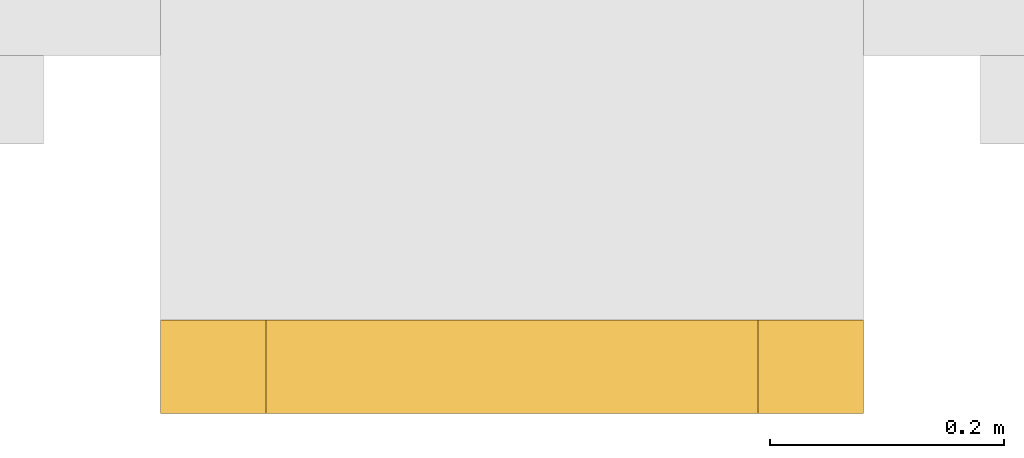
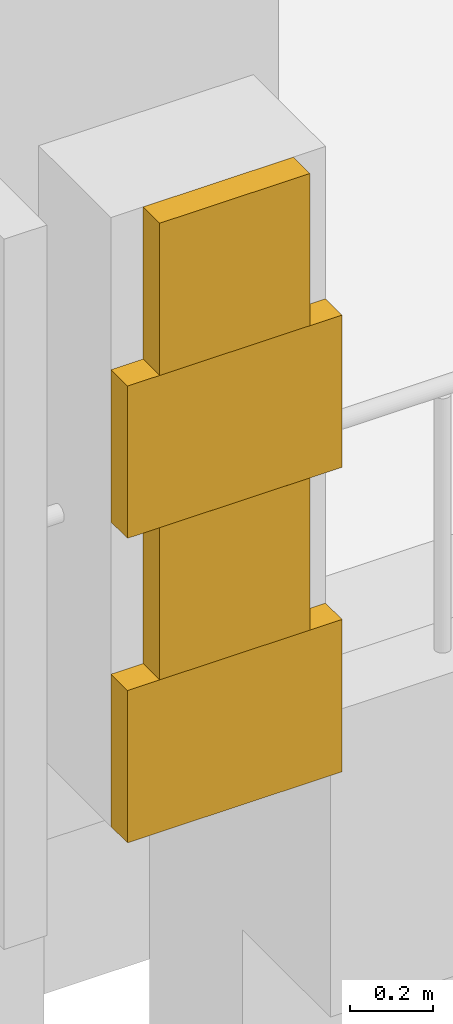
# One storey, part 67 of 71: 4 coverings.
"""IFC4 building model written with IfcOpenShell, lengths in metres."""

from ifc_helpers import new_model, si_unit, direction, frame, origin, place, context, subcontext, project, spatial, polyline, outline, extrude, material, layer, layer_set, type_object, element, save


model = new_model("IFC4")

# Units and contexts
model_context = context("Model", 3, precision=1e-05, world=origin(), true_north=direction((0.0, 1.0)))
body_context = subcontext(model_context, "Body", "Model", "MODEL_VIEW")
ifc_project = project(units=[si_unit("LENGTHUNIT", "METRE"), si_unit("AREAUNIT", "SQUARE_METRE"), si_unit("VOLUMEUNIT", "CUBIC_METRE"), si_unit("PLANEANGLEUNIT", "RADIAN"), si_unit("MASSUNIT", "GRAM", prefix="KILO")], contexts=[model_context])

# Site, building, storey
site_placement = place(None, origin())
site = spatial("IfcSite", under=ifc_project, at=site_placement, CompositionType="ELEMENT")
building_placement = place(site_placement, origin())
building = spatial("IfcBuilding", under=site, at=building_placement, Name="Cour d'Honneur Mobility Palace", CompositionType="ELEMENT")
storey_placement = place(building_placement, frame((0.0, 0.0, 15.60009765625)))
storey = spatial("IfcBuildingStorey", under=building, at=storey_placement, Name="L04", CompositionType="ELEMENT", Elevation=15.60009765625)

# Coverings
ifc_material = material(Name="Cast limestone", Category="masonry")
ifc_layer = layer(ifc_material, 0.080078125)
ifc_layer_set = layer_set([ifc_layer], Name="Cast limestone")
covering_type = type_object("IfcCoveringType", Name="Quoin block", PredefinedType="CLADDING", material=ifc_layer_set)
covering_1_placement = place(storey_placement, frame((0.0, 0.0, 0.2998046875)))
element("IfcCovering", 1, at=covering_1_placement, inside=storey, type_object=covering_type, Name="Quoin block QN-25", PredefinedType="CLADDING", context=body_context, shape_type="SweptSolid", body=[
    extrude(outline(polyline([(8.39990234375, -0.800048828125), (9.0, -0.800048828125), (9.0, -0.8798828125), (8.39990234375, -0.8798828125), (8.39990234375, -0.800048828125)])), origin(), (0.0, 0.0, 1.0), 0.4501953125),
])
covering_2_placement = place(storey_placement, frame((0.0, 0.0, 0.75)))
element("IfcCovering", 2, at=covering_2_placement, inside=storey, type_object=covering_type, Name="Quoin block QN-26", PredefinedType="CLADDING", context=body_context, shape_type="SweptSolid", body=[
    extrude(outline(polyline([(8.489990234375, -0.800048828125), (8.909912109375, -0.800048828125), (8.909912109375, -0.8798828125), (8.489990234375, -0.8798828125), (8.489990234375, -0.800048828125)])), origin(), (0.0, 0.0, 1.0), 0.449951171875),
])
covering_3_placement = place(storey_placement, frame((0.0, 0.0, 1.199951171875)))
element("IfcCovering", 3, at=covering_3_placement, inside=storey, type_object=covering_type, Name="Quoin block QN-27", PredefinedType="CLADDING", context=body_context, shape_type="SweptSolid", body=[
    extrude(outline(polyline([(8.39990234375, -0.800048828125), (9.0, -0.800048828125), (9.0, -0.8798828125), (8.39990234375, -0.8798828125), (8.39990234375, -0.800048828125)])), origin(), (0.0, 0.0, 1.0), 0.449951171875),
])
covering_4_placement = place(storey_placement, frame((0.0, 0.0, 1.64990234375)))
element("IfcCovering", 4, at=covering_4_placement, inside=storey, type_object=covering_type, Name="Quoin block QN-28", PredefinedType="CLADDING", context=body_context, shape_type="SweptSolid", body=[
    extrude(outline(polyline([(8.489990234375, -0.800048828125), (8.909912109375, -0.800048828125), (8.909912109375, -0.8798828125), (8.489990234375, -0.8798828125), (8.489990234375, -0.800048828125)])), origin(), (0.0, 0.0, 1.0), 0.449951171875),
])

save(model, "model.ifc")
